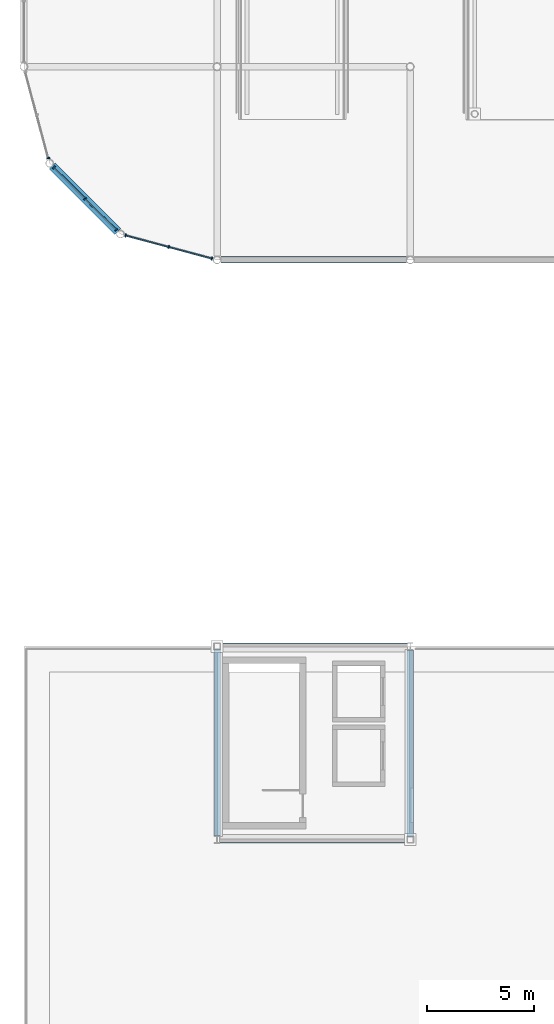
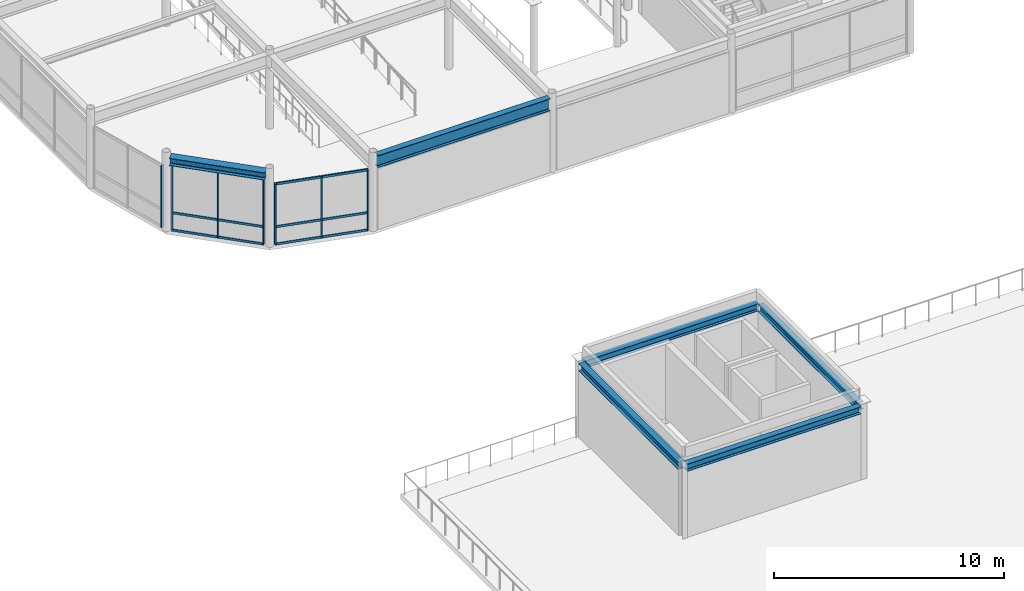
# One storey, part 15 of 70: 19 members, 6 beams, 3 elements without a shape of their own.
"""IFC4 building model written with IfcOpenShell, lengths in metres."""

from ifc_helpers import new_model, si_unit, direction, frame, origin, origin_2d, place, context, subcontext, project, spatial, rectangle, i_section, extrude, material, material_profile, profile_set, type_object, element, aggregate, save


model = new_model("IFC4")

# Units and contexts
model_context = context("Model", 3, precision=1e-05, world=origin(), true_north=direction((0.0, 1.0)))
body_context = subcontext(model_context, "Body", "Model", "MODEL_VIEW")
ifc_project = project(units=[si_unit("LENGTHUNIT", "METRE"), si_unit("AREAUNIT", "SQUARE_METRE"), si_unit("VOLUMEUNIT", "CUBIC_METRE"), si_unit("PLANEANGLEUNIT", "RADIAN"), si_unit("MASSUNIT", "GRAM", prefix="KILO")], contexts=[model_context])

# Site, building, storey
site_placement = place(None, origin())
site = spatial("IfcSite", under=ifc_project, at=site_placement, CompositionType="ELEMENT")
building_placement = place(site_placement, origin())
building = spatial("IfcBuilding", under=site, at=building_placement, Name="Suzunagisa Mobility Hub", CompositionType="ELEMENT")
storey_placement = place(building_placement, frame((0.0, 0.0, 13.5)))
storey = spatial("IfcBuildingStorey", under=building, at=storey_placement, Name="L03", CompositionType="ELEMENT", Elevation=13.5)

# Curtain wall, members
ifc_material_1 = material(Name="Thermally Broken Anodized Aluminum and Low-E Glazing", Category="aluminium")
curtain_wall_type_1 = type_object("IfcCurtainWallType", Name="Unitised Curtain Wall CW-44 4250x3600", PredefinedType="USERDEFINED", material=ifc_material_1)
curtain_wall_1_placement = place(storey_placement, origin())
curtain_wall_1 = element("IfcCurtainWall", 1, at=curtain_wall_1_placement, inside=storey, type_object=curtain_wall_type_1, Name="L03 Unitised Curtain Wall CW-72", ObjectType="UNITISED CURTAIN WALL", PredefinedType="USERDEFINED")
ifc_material_2 = material(Name="Anodized Aluminum 6063-T6", Category="aluminium")
ifc_material_profile_1 = material_profile(ifc_material_2, rectangle(XDim=0.06005859375, YDim=0.1201171875, at=origin_2d()), Name="TRAN-60x120")
ifc_profile_set_1 = profile_set([ifc_material_profile_1], Name="Anodized Aluminum 6063-T6")
member_type_1 = type_object("IfcMemberType", Name="Curtain Wall Framing CM-02 TRAN-60x120", PredefinedType="USERDEFINED", material=ifc_profile_set_1)
member_1_placement = place(storey_placement, frame((1.424560546875, 84.28125, 0.030029296875), z_axis=(0.707106781187, -0.707106781187, 0.0), x_axis=(0.707106781187, 0.707106781187, 0.0)))
member_1 = element("IfcMember", 2, at=member_1_placement, type_object=member_type_1, Name="Curtain Wall Transom 72-T1.1", ObjectType="TRANSOM", PredefinedType="USERDEFINED", context=body_context, shape_type="SweptSolid", body=[
    extrude(rectangle(XDim=0.06005859375, YDim=0.1201171875, at=origin_2d()), origin(), (0.0, 0.0, 1.0), 1.991943359375),
])
member_2_placement = place(storey_placement, frame((1.424560546875, 84.28125, 0.949951171875), z_axis=(0.707106781187, -0.707106781187, 0.0), x_axis=(0.707106781187, 0.707106781187, 0.0)))
member_2 = element("IfcMember", 3, at=member_2_placement, type_object=member_type_1, Name="Curtain Wall Transom 72-T1.2", ObjectType="TRANSOM", PredefinedType="USERDEFINED", context=body_context, shape_type="SweptSolid", body=[
    extrude(rectangle(XDim=0.06005859375, YDim=0.1201171875, at=origin_2d()), origin(), (0.0, 0.0, 1.0), 1.991943359375),
])
member_3_placement = place(storey_placement, frame((1.424560546875, 84.28125, 3.52001953125), z_axis=(0.707106781187, -0.707106781187, 0.0), x_axis=(0.707106781187, 0.707106781187, 0.0)))
member_3 = element("IfcMember", 4, at=member_3_placement, type_object=member_type_1, Name="Curtain Wall Transom 72-T1.3", ObjectType="TRANSOM", PredefinedType="USERDEFINED", context=body_context, shape_type="SweptSolid", body=[
    extrude(rectangle(XDim=0.06005859375, YDim=0.1201171875, at=origin_2d()), origin(), (0.0, 0.0, 1.0), 1.991943359375),
])
member_4_placement = place(storey_placement, frame((2.872802734375, 82.8330078125, 0.030029296875), z_axis=(0.707106781187, -0.707106781187, 0.0), x_axis=(0.707106781187, 0.707106781187, 0.0)))
member_4 = element("IfcMember", 5, at=member_4_placement, type_object=member_type_1, Name="Curtain Wall Transom 72-T2.1", ObjectType="TRANSOM", PredefinedType="USERDEFINED", context=body_context, shape_type="SweptSolid", body=[
    extrude(rectangle(XDim=0.06005859375, YDim=0.1201171875, at=origin_2d()), origin(), (0.0, 0.0, 1.0), 1.991943359375),
])
member_5_placement = place(storey_placement, frame((2.872802734375, 82.8330078125, 0.949951171875), z_axis=(0.707106781187, -0.707106781187, 0.0), x_axis=(0.707106781187, 0.707106781187, 0.0)))
member_5 = element("IfcMember", 6, at=member_5_placement, type_object=member_type_1, Name="Curtain Wall Transom 72-T2.2", ObjectType="TRANSOM", PredefinedType="USERDEFINED", context=body_context, shape_type="SweptSolid", body=[
    extrude(rectangle(XDim=0.06005859375, YDim=0.1201171875, at=origin_2d()), origin(), (0.0, 0.0, 1.0), 1.991943359375),
])
member_6_placement = place(storey_placement, frame((2.872802734375, 82.8330078125, 3.52001953125), z_axis=(0.707106781187, -0.707106781187, 0.0), x_axis=(0.707106781187, 0.707106781187, 0.0)))
member_6 = element("IfcMember", 7, at=member_6_placement, type_object=member_type_1, Name="Curtain Wall Transom 72-T2.3", ObjectType="TRANSOM", PredefinedType="USERDEFINED", context=body_context, shape_type="SweptSolid", body=[
    extrude(rectangle(XDim=0.06005859375, YDim=0.1201171875, at=origin_2d()), origin(), (0.0, 0.0, 1.0), 1.991943359375),
])

curtain_wall_type_2 = type_object("IfcCurtainWallType", Name="Unitised Curtain Wall CW-01 4250x3200", PredefinedType="USERDEFINED", material=ifc_material_1)
curtain_wall_2_placement = place(storey_placement, origin())
curtain_wall_2 = element("IfcCurtainWall", 8, at=curtain_wall_2_placement, inside=storey, type_object=curtain_wall_type_2, Name="L03 Unitised Curtain Wall CW-73", ObjectType="UNITISED CURTAIN WALL", PredefinedType="USERDEFINED")
member_7_placement = place(storey_placement, frame((4.766357421875, 81.134521484375, 0.030029296875), z_axis=(0.965906081949, -0.258892720742, 0.0), x_axis=(0.258892720742, 0.965906081949, 0.0)))
member_7 = element("IfcMember", 9, at=member_7_placement, type_object=member_type_1, Name="Curtain Wall Transom 73-T1.1", ObjectType="TRANSOM", PredefinedType="USERDEFINED", context=body_context, shape_type="SweptSolid", body=[
    extrude(rectangle(XDim=0.06005859375, YDim=0.1201171875, at=origin_2d()), origin(), (0.0, 0.0, 1.0), 2.025634765625),
])
member_8_placement = place(storey_placement, frame((4.766357421875, 81.134521484375, 0.949951171875), z_axis=(0.965906081949, -0.258892720742, 0.0), x_axis=(0.258892720742, 0.965906081949, 0.0)))
member_8 = element("IfcMember", 10, at=member_8_placement, type_object=member_type_1, Name="Curtain Wall Transom 73-T1.2", ObjectType="TRANSOM", PredefinedType="USERDEFINED", context=body_context, shape_type="SweptSolid", body=[
    extrude(rectangle(XDim=0.06005859375, YDim=0.1201171875, at=origin_2d()), origin(), (0.0, 0.0, 1.0), 2.025634765625),
])
member_9_placement = place(storey_placement, frame((4.766357421875, 81.134521484375, 3.219970703125), z_axis=(0.965906081949, -0.258892720742, 0.0), x_axis=(0.258892720742, 0.965906081949, 0.0)))
member_9 = element("IfcMember", 11, at=member_9_placement, type_object=member_type_1, Name="Curtain Wall Transom 73-T1.3", ObjectType="TRANSOM", PredefinedType="USERDEFINED", context=body_context, shape_type="SweptSolid", body=[
    extrude(rectangle(XDim=0.06005859375, YDim=0.1201171875, at=origin_2d()), origin(), (0.0, 0.0, 1.0), 2.025634765625),
])
member_10_placement = place(storey_placement, frame((6.777099609375, 80.595703125, 0.030029296875), z_axis=(0.965906081949, -0.258892720742, 0.0), x_axis=(0.258892720742, 0.965906081949, 0.0)))
member_10 = element("IfcMember", 12, at=member_10_placement, type_object=member_type_1, Name="Curtain Wall Transom 73-T2.1", ObjectType="TRANSOM", PredefinedType="USERDEFINED", context=body_context, shape_type="SweptSolid", body=[
    extrude(rectangle(XDim=0.06005859375, YDim=0.1201171875, at=origin_2d()), origin(), (0.0, 0.0, 1.0), 2.025634765625),
])
member_11_placement = place(storey_placement, frame((6.777099609375, 80.595703125, 0.949951171875), z_axis=(0.965906081949, -0.258892720742, 0.0), x_axis=(0.258892720742, 0.965906081949, 0.0)))
member_11 = element("IfcMember", 13, at=member_11_placement, type_object=member_type_1, Name="Curtain Wall Transom 73-T2.2", ObjectType="TRANSOM", PredefinedType="USERDEFINED", context=body_context, shape_type="SweptSolid", body=[
    extrude(rectangle(XDim=0.06005859375, YDim=0.1201171875, at=origin_2d()), origin(), (0.0, 0.0, 1.0), 2.025634765625),
])
member_12_placement = place(storey_placement, frame((6.777099609375, 80.595703125, 3.219970703125), z_axis=(0.965906081949, -0.258892720742, 0.0), x_axis=(0.258892720742, 0.965906081949, 0.0)))
member_12 = element("IfcMember", 14, at=member_12_placement, type_object=member_type_1, Name="Curtain Wall Transom 73-T2.3", ObjectType="TRANSOM", PredefinedType="USERDEFINED", context=body_context, shape_type="SweptSolid", body=[
    extrude(rectangle(XDim=0.06005859375, YDim=0.1201171875, at=origin_2d()), origin(), (0.0, 0.0, 1.0), 2.025634765625),
])

# Curtain wall, member
curtain_wall_type_3 = type_object("IfcCurtainWallType", Name="Unitised Curtain Wall CW-06 4250x3300", PredefinedType="USERDEFINED", material=ifc_material_1)
curtain_wall_3_placement = place(storey_placement, origin())
curtain_wall_3 = element("IfcCurtainWall", 15, at=curtain_wall_3_placement, inside=storey, type_object=curtain_wall_type_3, Name="L03 Unitised Curtain Wall CW-71", ObjectType="UNITISED CURTAIN WALL", PredefinedType="USERDEFINED")
ifc_material_profile_2 = material_profile(ifc_material_2, rectangle(XDim=0.06005859375, YDim=0.14990234375, at=origin_2d()), Name="MULL-60x150")
ifc_profile_set_2 = profile_set([ifc_material_profile_2], Name="Anodized Aluminum 6063-T6")
member_type_2 = type_object("IfcMemberType", Name="Curtain Wall Framing CM-03 MULL-60x150", PredefinedType="MULLION", material=ifc_profile_set_2)
member_13_placement = place(storey_placement, frame((1.1416015625, 84.7392578125, 0.0), z_axis=(0.0, 0.0, 1.0), x_axis=(0.258803152984, -0.965930084429, 0.0)))
member_13 = element("IfcMember", 16, at=member_13_placement, type_object=member_type_2, Name="Curtain Wall Mullion 71-M3", PredefinedType="MULLION", context=body_context, shape_type="SweptSolid", body=[
    extrude(rectangle(XDim=0.06005859375, YDim=0.14990234375, at=origin_2d()), origin(), (0.0, 0.0, 1.0), 3.300048828125),
])
aggregate(curtain_wall_3, [member_13])

# Member
member_14_placement = place(storey_placement, frame((1.40478515625, 84.301025390625, 0.0), z_axis=(0.0, 0.0, 1.0), x_axis=(0.707106781187, -0.707106781187, 0.0)))
member_14 = element("IfcMember", 17, at=member_14_placement, type_object=member_type_2, Name="Curtain Wall Mullion 72-M1", PredefinedType="MULLION", context=body_context, shape_type="SweptSolid", body=[
    extrude(rectangle(XDim=0.06005859375, YDim=0.14990234375, at=origin_2d()), origin(), (0.0, 0.0, 1.0), 3.550048828125),
])

member_15_placement = place(storey_placement, frame((2.852783203125, 82.852783203125, 0.0), z_axis=(0.0, 0.0, 1.0), x_axis=(0.707106781187, -0.707106781187, 0.0)))
member_15 = element("IfcMember", 18, at=member_15_placement, type_object=member_type_2, Name="Curtain Wall Mullion 72-M2", PredefinedType="MULLION", context=body_context, shape_type="SweptSolid", body=[
    extrude(rectangle(XDim=0.06005859375, YDim=0.14990234375, at=origin_2d()), origin(), (0.0, 0.0, 1.0), 3.550048828125),
])

member_16_placement = place(storey_placement, frame((4.301025390625, 81.40478515625, 0.0), z_axis=(0.0, 0.0, 1.0), x_axis=(0.707106781187, -0.707106781187, 0.0)))
member_16 = element("IfcMember", 19, at=member_16_placement, type_object=member_type_2, Name="Curtain Wall Mullion 72-M3", PredefinedType="MULLION", context=body_context, shape_type="SweptSolid", body=[
    extrude(rectangle(XDim=0.06005859375, YDim=0.14990234375, at=origin_2d()), origin(), (0.0, 0.0, 1.0), 3.550048828125),
])

aggregate(curtain_wall_1, [member_14, member_15, member_16, member_1, member_2, member_3, member_4, member_5, member_6])

member_17_placement = place(storey_placement, frame((4.7392578125, 81.1416015625, 0.0), z_axis=(0.0, 0.0, 1.0), x_axis=(0.965930084429, -0.258803152984, 0.0)))
member_17 = element("IfcMember", 20, at=member_17_placement, type_object=member_type_2, Name="Curtain Wall Mullion 73-M1", PredefinedType="MULLION", context=body_context, shape_type="SweptSolid", body=[
    extrude(rectangle(XDim=0.06005859375, YDim=0.14990234375, at=origin_2d()), origin(), (0.0, 0.0, 1.0), 3.25),
])

member_18_placement = place(storey_placement, frame((6.75, 80.602783203125, 0.0), z_axis=(0.0, 0.0, 1.0), x_axis=(0.965930084429, -0.258803152984, 0.0)))
member_18 = element("IfcMember", 21, at=member_18_placement, type_object=member_type_2, Name="Curtain Wall Mullion 73-M2", PredefinedType="MULLION", context=body_context, shape_type="SweptSolid", body=[
    extrude(rectangle(XDim=0.06005859375, YDim=0.14990234375, at=origin_2d()), origin(), (0.0, 0.0, 1.0), 3.25),
])

member_19_placement = place(storey_placement, frame((8.7607421875, 80.064208984375, 0.0), z_axis=(0.0, 0.0, 1.0), x_axis=(0.965930084429, -0.258803152984, 0.0)))
member_19 = element("IfcMember", 22, at=member_19_placement, type_object=member_type_2, Name="Curtain Wall Mullion 73-M3", PredefinedType="MULLION", context=body_context, shape_type="SweptSolid", body=[
    extrude(rectangle(XDim=0.06005859375, YDim=0.14990234375, at=origin_2d()), origin(), (0.0, 0.0, 1.0), 3.25),
])

aggregate(curtain_wall_2, [member_17, member_18, member_19, member_7, member_8, member_9, member_10, member_11, member_12])

# Beams
ifc_material_3 = material(Name="Steel SN490B", Category="steel")
ifc_material_profile_3 = material_profile(ifc_material_3, i_section(OverallWidth=0.300048828125, OverallDepth=0.64990234375, WebThickness=0.012939453125, FlangeThickness=0.02197265625, FilletRadius=0.01611328125, at=origin_2d()), Name="H-650x300x13x22")
ifc_profile_set_3 = profile_set([ifc_material_profile_3], Name="Steel SN490B")
beam_type_1 = type_object("IfcBeamType", Name="Steel Beam BM-10 H-650x300x13x22", PredefinedType="BEAM", material=ifc_profile_set_3)
beam_1_placement = place(storey_placement, frame((9.173828125, 80.0, 3.625), z_axis=(1.0, 0.0, 0.0), x_axis=(0.0, 1.0, 0.0)))
element("IfcBeam", 23, at=beam_1_placement, inside=storey, type_object=beam_type_1, Name="L03 Primary Girder GX-554", PredefinedType="BEAM", context=body_context, shape_type="SweptSolid", body=[
    extrude(i_section(OverallWidth=0.300048828125, OverallDepth=0.64990234375, WebThickness=0.012939453125, FlangeThickness=0.02197265625, FilletRadius=0.01611328125, at=origin_2d()), origin(), (0.0, 0.0, 1.0), 8.65234375),
])
ifc_material_profile_4 = material_profile(ifc_material_3, i_section(OverallWidth=0.39990234375, OverallDepth=0.39990234375, WebThickness=0.012939453125, FlangeThickness=0.02099609375, FilletRadius=0.01611328125, at=origin_2d()), Name="H-400x400x13x21")
ifc_profile_set_4 = profile_set([ifc_material_profile_4], Name="Steel SN490B")
beam_type_2 = type_object("IfcBeamType", Name="Steel Beam BM-12 H-400x400x13x21", PredefinedType="SPANDREL", material=ifc_profile_set_4)
beam_2_placement = place(storey_placement, frame((1.33154296875, 84.374267578125, 3.75), z_axis=(0.707106781187, -0.707106781187, 0.0), x_axis=(0.707106781187, 0.707106781187, 0.0)))
element("IfcBeam", 24, at=beam_2_placement, inside=storey, type_object=beam_type_2, Name="L03 Streamline Prow Spandrel 582", PredefinedType="SPANDREL", context=body_context, shape_type="SweptSolid", body=[
    extrude(i_section(OverallWidth=0.39990234375, OverallDepth=0.39990234375, WebThickness=0.012939453125, FlangeThickness=0.02099609375, FilletRadius=0.01611328125, at=origin_2d()), origin(), (0.0, 0.0, 1.0), 4.302978515625),
])
ifc_material_profile_5 = material_profile(ifc_material_3, i_section(OverallWidth=0.300048828125, OverallDepth=0.389892578125, WebThickness=0.010009765625, FlangeThickness=0.01611328125, FilletRadius=0.012939453125, at=origin_2d()), Name="H-390x300x10x16")
ifc_profile_set_5 = profile_set([ifc_material_profile_5], Name="Steel SN490B")
beam_type_3 = type_object("IfcBeamType", Name="Steel Beam BM-13 H-390x300x10x16", PredefinedType="SPANDREL", material=ifc_profile_set_5)
for number, where, z_axis, x_axis, name in (
    (25, (9.125, 53.0, 3.7451171875), (1.0, 0.0, 0.0), (0.0, 1.0, 0.0), "L03 Core C1 Penthouse Roof Girder"),
    (26, (9.14990234375, 62.0, 3.7451171875), (1.0, 0.0, 0.0), (0.0, 1.0, 0.0), "L03 Core C1 Penthouse Roof Girder"),
):
    element("IfcBeam", number, at=place(storey_placement, frame(where, z_axis=z_axis, x_axis=x_axis)), inside=storey, type_object=beam_type_3, Name=name, PredefinedType="SPANDREL", context=body_context, shape_type="SweptSolid", body=[
        extrude(i_section(OverallWidth=0.300048828125, OverallDepth=0.389892578125, WebThickness=0.010009765625, FlangeThickness=0.01611328125, FilletRadius=0.012939453125, at=origin_2d()), origin(), (0.0, 0.0, 1.0), 8.72509765625),
    ])
for number, where, z_axis, x_axis, name in (
    (27, (9.0, 53.169921875, 3.7451171875), (0.0, 1.0, 0.0), (-1.0, 0.0, 0.0), "L03 Core C1 Penthouse Roof Girder"),
    (28, (18.0, 53.14990234375, 3.7451171875), (0.0, 1.0, 0.0), (-1.0, 0.0, 0.0), "L03 Core C1 Penthouse Roof Girder"),
):
    element("IfcBeam", number, at=place(storey_placement, frame(where, z_axis=z_axis, x_axis=x_axis)), inside=storey, type_object=beam_type_3, Name=name, PredefinedType="SPANDREL", context=body_context, shape_type="SweptSolid", body=[
        extrude(i_section(OverallWidth=0.300048828125, OverallDepth=0.389892578125, WebThickness=0.010009765625, FlangeThickness=0.01611328125, FilletRadius=0.012939453125, at=origin_2d()), origin(), (0.0, 0.0, 1.0), 8.68017578125),
    ])

save(model, "model.ifc")
